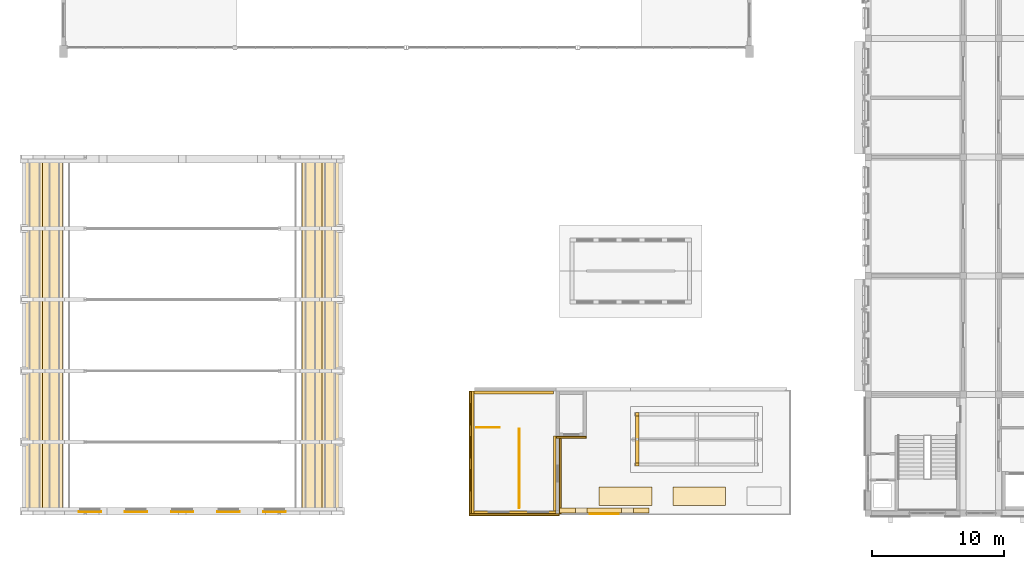
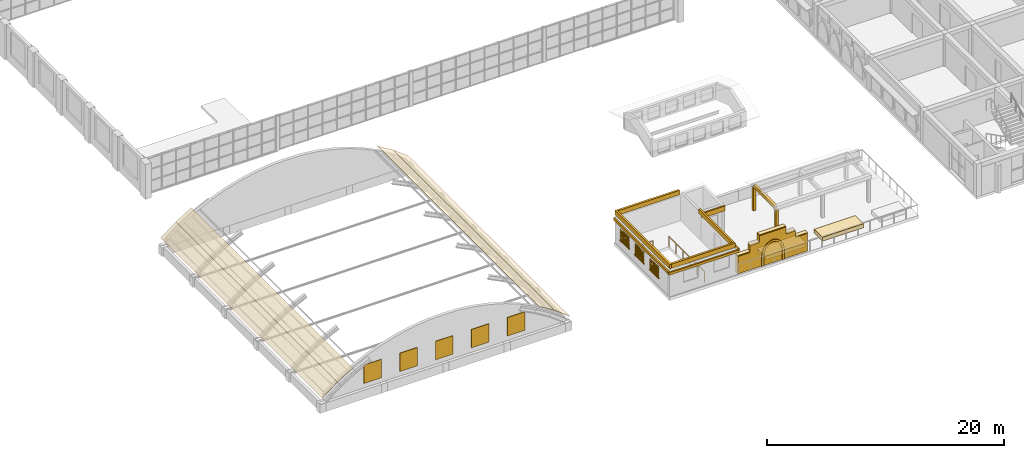
# One storey, part 55 of 70: 49 coverings, 5 shading devices, 2 railings.
"""IFC4 building model written with IfcOpenShell, lengths in metres."""

from ifc_helpers import new_model, si_unit, direction, frame, origin, origin_2d, place, context, subcontext, project, spatial, polyline, rectangle, circle, outline, extrude, material, layer, layer_set, material_profile, profile_set, type_object, element, save


model = new_model("IFC4")

# Units and contexts
model_context = context("Model", 3, precision=1e-05, world=origin(), true_north=direction((0.0, 1.0)))
body_context = subcontext(model_context, "Body", "Model", "MODEL_VIEW")
ifc_project = project(units=[si_unit("LENGTHUNIT", "METRE"), si_unit("AREAUNIT", "SQUARE_METRE"), si_unit("VOLUMEUNIT", "CUBIC_METRE"), si_unit("PLANEANGLEUNIT", "RADIAN"), si_unit("MASSUNIT", "GRAM", prefix="KILO")], contexts=[model_context])

# Site, building, storey
site_placement = place(None, origin())
site = spatial("IfcSite", under=ifc_project, at=site_placement, CompositionType="ELEMENT")
building_placement = place(site_placement, origin())
building = spatial("IfcBuilding", under=site, at=building_placement, Name="Elbe Cascade School", CompositionType="ELEMENT")
storey_placement = place(building_placement, frame((0.0, 0.0, 8.10009765625)))
storey = spatial("IfcBuildingStorey", under=building, at=storey_placement, Name="L02", CompositionType="ELEMENT", Elevation=8.10009765625)

# Shading devices
ifc_material_1 = material(Name="Precast concrete C30/37 jali", Category="concrete")
ifc_layer_1 = layer(ifc_material_1, 0.06005859375)
ifc_layer_set_1 = layer_set([ifc_layer_1], Name="Precast concrete C30/37 jali")
shading_device_type = type_object("IfcShadingDeviceType", Name="Assembly hall jali screen 1700x1900", PredefinedType="USERDEFINED", material=ifc_layer_set_1)
for number, where, z_axis, x_axis, name in (
    (1, (10.0, 6.1201171875, 1.39990234375), (0.0, 0.0, 1.0), (1.0, 0.0, 0.0), "Assembly hall jali screen 1700x1900 SD12"),
    (2, (13.5, 6.1201171875, 1.39990234375), (0.0, 0.0, 1.0), (1.0, 0.0, 0.0), "Assembly hall jali screen 1700x1900 SD12"),
    (3, (17.0, 6.1201171875, 1.39990234375), (0.0, 0.0, 1.0), (1.0, 0.0, 0.0), "Assembly hall jali screen 1700x1900 SD12"),
    (4, (20.5, 6.1201171875, 1.39990234375), (0.0, 0.0, 1.0), (1.0, 0.0, 0.0), "Assembly hall jali screen 1700x1900 SD12"),
    (5, (24.0, 6.1201171875, 1.39990234375), (0.0, 0.0, 1.0), (1.0, 0.0, 0.0), "Assembly hall jali screen 1700x1900 SD12"),
):
    element("IfcShadingDevice", number, at=place(storey_placement, frame(where, z_axis=z_axis, x_axis=x_axis)), inside=storey, type_object=shading_device_type, Name=name, ObjectType="JALI", PredefinedType="USERDEFINED", context=body_context, shape_type="SweptSolid", body=[
        extrude(rectangle(XDim=1.699951171875, YDim=0.06005859375, at=origin_2d()), origin(), (0.0, 0.0, 1.0), 1.89990234375),
    ])

# Coverings
ifc_material_2 = material(Name="Zinc standing seam roofing")
ifc_layer_2 = layer(ifc_material_2, 0.030029296875)
ifc_layer_set_2 = layer_set([ifc_layer_2], Name="Zinc standing seam roofing")
covering_type_1 = type_object("IfcCoveringType", Name="Assembly hall roofing 30", PredefinedType="ROOFING", material=ifc_layer_set_2)
covering_1_placement = place(storey_placement, frame((4.911376953125, 5.85009765625, 1.52099609375), z_axis=(-0.605281443696, 0.0, 0.796011541322), x_axis=(0.796011541322, 0.0, 0.605281443696)))
element("IfcCovering", 6, at=covering_1_placement, inside=storey, type_object=covering_type_1, Name="Assembly hall roofing 30 CV2", PredefinedType="ROOFING", context=body_context, shape_type="SweptSolid", body=[
    extrude(outline(polyline([(0.0, 0.0), (1.8739668224821688, 0.0), (1.8739668224821688, 27.2998046875), (0.0, 27.2998046875), (0.0, 0.0)])), origin(), (0.0, 0.0, -1.0), 0.030029296875),
])
for number, where, z_axis, x_axis, name in (
    (7, (6.403076171875, 5.85009765625, 2.6552734375), (-0.524495722499, 0.0, 0.851413082517), (0.851413082517, 0.0, 0.524495722499), "Assembly hall roofing 30 CV2"),
    (8, (26.0830078125, 5.85009765625, 3.587890625), (0.524495722499, 0.0, 0.851413082517), (0.851413082517, 0.0, -0.524495722499), "Assembly hall roofing 30 CV2"),
):
    element("IfcCovering", number, at=place(storey_placement, frame(where, z_axis=z_axis, x_axis=x_axis)), inside=storey, type_object=covering_type_1, Name=name, PredefinedType="ROOFING", context=body_context, shape_type="SweptSolid", body=[
        extrude(outline(polyline([(0.0, 0.0), (1.77812162710718, 0.0), (1.77812162710718, 27.2998046875), (0.0, 27.2998046875), (0.0, 0.0)])), origin(), (0.0, 0.0, -1.0), 0.030029296875),
    ])
covering_2_placement = place(storey_placement, frame((27.596923828125, 5.85009765625, 2.6552734375), z_axis=(0.605281443696, 0.0, 0.796011541322), x_axis=(0.796011541322, 0.0, -0.605281443696)))
element("IfcCovering", 9, at=covering_2_placement, inside=storey, type_object=covering_type_1, Name="Assembly hall roofing 30 CV2", PredefinedType="ROOFING", context=body_context, shape_type="SweptSolid", body=[
    extrude(outline(polyline([(0.0, 0.0), (1.8739668224821688, 0.0), (1.8739668224821688, 27.2998046875), (0.0, 27.2998046875), (0.0, 0.0)])), origin(), (0.0, 0.0, -1.0), 0.030029296875),
])
ifc_material_3 = material(Name="Sandstone - red", Category="masonry")
ifc_material_profile_1 = material_profile(ifc_material_3, outline(polyline([(-3.39990234375, 8.10009765625), (3.39990234375, 8.10009765625), (3.39990234375, 9.89990234375), (2.199951171875, 9.89990234375), (2.199951171875, 10.60009765625), (1.300048828125, 10.60009765625), (1.300048828125, 11.300048828125), (-1.300048828125, 11.300048828125), (-1.300048828125, 10.60009765625), (-2.199951171875, 10.60009765625), (-2.199951171875, 9.89990234375), (-3.39990234375, 9.89990234375), (-3.39990234375, 8.10009765625)])), Name="Frontispiece face 6800 x 3200")
ifc_profile_set_1 = profile_set([ifc_material_profile_1], Name="Sandstone - red")
covering_type_2 = type_object("IfcCoveringType", Name="Cafe entrance frontispiece 400", PredefinedType="CLADDING", material=ifc_profile_set_1)
covering_3_placement = place(storey_placement, frame((49.0, 6.0, -8.10009765625), z_axis=(0.0, 1.0, 0.0), x_axis=(-1.0, 0.0, 0.0)))
element("IfcCovering", 10, at=covering_3_placement, inside=storey, type_object=covering_type_2, Name="Cafe entrance frontispiece 400 CV96", PredefinedType="CLADDING", context=body_context, shape_type="SweptSolid", body=[
    extrude(outline(polyline([(-3.39990234375, 8.10009765625), (3.39990234375, 8.10009765625), (3.39990234375, 9.89990234375), (2.199951171875, 9.89990234375), (2.199951171875, 10.60009765625), (1.300048828125, 10.60009765625), (1.300048828125, 11.300048828125), (-1.300048828125, 11.300048828125), (-1.300048828125, 10.60009765625), (-2.199951171875, 10.60009765625), (-2.199951171875, 9.89990234375), (-3.39990234375, 9.89990234375), (-3.39990234375, 8.10009765625)])), origin(), (0.0, 0.0, 1.0), 0.39990234375),
])
ifc_material_4 = material(Name="Sandstone - red", Category="masonry")
ifc_material_profile_2 = material_profile(ifc_material_4, outline(polyline([(-1.10009765625, 8.10009765625), (-1.10009765625, 9.199951171875), (-0.96240234375, 9.787109375), (-0.824951171875, 10.007080078125), (-0.6875, 10.159423828125), (-0.550048828125, 10.273193359375), (-0.41259765625, 10.35986328125), (-0.27490234375, 10.42529296875), (-0.137451171875, 10.472412109375), (0.0, 10.50341796875), (0.137451171875, 10.472412109375), (0.27490234375, 10.42529296875), (0.41259765625, 10.35986328125), (0.550048828125, 10.273193359375), (0.6875, 10.159423828125), (0.824951171875, 10.007080078125), (0.96240234375, 9.787109375), (1.10009765625, 9.199951171875), (1.10009765625, 8.10009765625), (0.89990234375, 8.10009765625), (0.89990234375, 9.199951171875), (0.78759765625, 9.689697265625), (0.675048828125, 9.8740234375), (0.5625, 10.002197265625), (0.449951171875, 10.0986328125), (0.33740234375, 10.172607421875), (0.22509765625, 10.229248046875), (0.112548828125, 10.27099609375), (0.0, 10.300048828125), (-0.112548828125, 10.27099609375), (-0.22509765625, 10.229248046875), (-0.33740234375, 10.172607421875), (-0.449951171875, 10.0986328125), (-0.5625, 10.002197265625), (-0.675048828125, 9.8740234375), (-0.78759765625, 9.689697265625), (-0.89990234375, 9.199951171875), (-0.89990234375, 8.10009765625), (-1.10009765625, 8.10009765625)])), Name="Frontispiece arch moulding face")
ifc_profile_set_2 = profile_set([ifc_material_profile_2], Name="Sandstone - red")
covering_type_3 = type_object("IfcCoveringType", Name="Cafe frontispiece arch moulding 070", PredefinedType="CLADDING", material=ifc_profile_set_2)
covering_4_placement = place(storey_placement, frame((49.0, 5.929931640625, -8.10009765625), z_axis=(0.0, 1.0, 0.0), x_axis=(-1.0, 0.0, 0.0)))
element("IfcCovering", 11, at=covering_4_placement, inside=storey, type_object=covering_type_3, Name="Cafe frontispiece arch moulding 070 CV97", PredefinedType="CLADDING", context=body_context, shape_type="SweptSolid", body=[
    extrude(outline(polyline([(-1.10009765625, 8.10009765625), (-1.10009765625, 9.199951171875), (-0.96240234375, 9.787109375), (-0.824951171875, 10.007080078125), (-0.6875, 10.159423828125), (-0.550048828125, 10.273193359375), (-0.41259765625, 10.35986328125), (-0.27490234375, 10.42529296875), (-0.137451171875, 10.472412109375), (0.0, 10.50341796875), (0.137451171875, 10.472412109375), (0.27490234375, 10.42529296875), (0.41259765625, 10.35986328125), (0.550048828125, 10.273193359375), (0.6875, 10.159423828125), (0.824951171875, 10.007080078125), (0.96240234375, 9.787109375), (1.10009765625, 9.199951171875), (1.10009765625, 8.10009765625), (0.89990234375, 8.10009765625), (0.89990234375, 9.199951171875), (0.78759765625, 9.689697265625), (0.675048828125, 9.8740234375), (0.5625, 10.002197265625), (0.449951171875, 10.0986328125), (0.33740234375, 10.172607421875), (0.22509765625, 10.229248046875), (0.112548828125, 10.27099609375), (0.0, 10.300048828125), (-0.112548828125, 10.27099609375), (-0.22509765625, 10.229248046875), (-0.33740234375, 10.172607421875), (-0.449951171875, 10.0986328125), (-0.5625, 10.002197265625), (-0.675048828125, 9.8740234375), (-0.78759765625, 9.689697265625), (-0.89990234375, 9.199951171875), (-0.89990234375, 8.10009765625), (-1.10009765625, 8.10009765625)])), origin(), (0.0, 0.0, 1.0), 0.070068359375),
])
ifc_material_5 = material(Name="Sandstone - red", Category="masonry")
ifc_layer_3 = layer(ifc_material_5, 0.10009765625)
ifc_layer_set_3 = layer_set([ifc_layer_3], Name="Sandstone - red")
covering_type_4 = type_object("IfcCoveringType", Name="Cafe frontispiece coping 100", PredefinedType="CLADDING", material=ifc_layer_set_3)
covering_5_placement = place(storey_placement, frame((0.0, 0.0, 3.199951171875)))
element("IfcCovering", 12, at=covering_5_placement, inside=storey, type_object=covering_type_4, Name="Cafe frontispiece coping 100 CV98", PredefinedType="CLADDING", context=body_context, shape_type="SweptSolid", body=[
    extrude(outline(polyline([(47.699951171875, 6.0), (50.300048828125, 6.0), (50.300048828125, 6.39990234375), (47.699951171875, 6.39990234375), (47.699951171875, 6.0)])), origin(), (0.0, 0.0, 1.0), 0.099853515625),
])
covering_6_placement = place(storey_placement, frame((0.0, 0.0, 1.7998046875)))
element("IfcCovering", 13, at=covering_6_placement, inside=storey, type_object=covering_type_4, Name="Cafe frontispiece coping 100 CV98", PredefinedType="CLADDING", context=body_context, shape_type="SweptSolid", body=[
    extrude(outline(polyline([(51.199951171875, 6.0), (52.39990234375, 6.0), (52.39990234375, 6.39990234375), (51.199951171875, 6.39990234375), (51.199951171875, 6.0)])), origin(), (0.0, 0.0, 1.0), 0.10009765625),
])
covering_7_placement = place(storey_placement, frame((0.0, 0.0, 1.7998046875)))
element("IfcCovering", 14, at=covering_7_placement, inside=storey, type_object=covering_type_4, Name="Cafe frontispiece coping 100 CV98", PredefinedType="CLADDING", context=body_context, shape_type="SweptSolid", body=[
    extrude(outline(polyline([(45.60009765625, 6.0), (46.800048828125, 6.0), (46.800048828125, 6.39990234375), (45.60009765625, 6.39990234375), (45.60009765625, 6.0)])), origin(), (0.0, 0.0, 1.0), 0.10009765625),
])

# Railings
ifc_material_6 = material(Name="Steel S355J2H balustrade", Category="steel")
railing_type = type_object("IfcRailingType", Name="Cafe guard 1100", PredefinedType="GUARDRAIL", material=ifc_material_6)
railing_1_placement = place(storey_placement, frame((42.550048828125, 6.39990234375, 0.0)))
element("IfcRailing", 15, at=railing_1_placement, inside=storey, type_object=railing_type, Name="Cafe guard 1100 RL11", PredefinedType="GUARDRAIL", context=body_context, shape_type="SweptSolid", body=[
    extrude(circle(Radius=0.02490234375, at=origin_2d()), frame((0.0, 0.0, 1.0751953125), z_axis=(0.0, 1.0, 0.0), x_axis=(-1.0, 0.0, 0.0)), (0.0, 0.0, 1.0), 6.0),
    extrude(circle(Radius=0.02001953125, at=origin_2d()), origin(), (0.0, 0.0, 1.0), 1.050048828125),
    extrude(circle(Radius=0.02001953125, at=origin_2d()), frame((0.0, 1.199951171875, 0.0)), (0.0, 0.0, 1.0), 1.050048828125),
    extrude(circle(Radius=0.02001953125, at=origin_2d()), frame((0.0, 2.39990234375, 0.0)), (0.0, 0.0, 1.0), 1.050048828125),
    extrude(circle(Radius=0.02001953125, at=origin_2d()), frame((0.0, 3.60009765625, 0.0)), (0.0, 0.0, 1.0), 1.050048828125),
    extrude(circle(Radius=0.02001953125, at=origin_2d()), frame((0.0, 4.800048828125, 0.0)), (0.0, 0.0, 1.0), 1.050048828125),
    extrude(circle(Radius=0.02001953125, at=origin_2d()), frame((0.0, 6.0, 0.0)), (0.0, 0.0, 1.0), 1.050048828125),
])
railing_2_placement = place(storey_placement, frame((39.300048828125, 12.5, 0.0)))
element("IfcRailing", 16, at=railing_2_placement, inside=storey, type_object=railing_type, Name="Cafe guard 1100 RL11", PredefinedType="GUARDRAIL", context=body_context, shape_type="SweptSolid", body=[
    extrude(circle(Radius=0.02490234375, at=origin_2d()), frame((0.0, 0.0, 1.0751953125), z_axis=(1.0, 0.0, 0.0), x_axis=(0.0, 1.0, 0.0)), (0.0, 0.0, 1.0), 1.75),
    extrude(circle(Radius=0.02001953125, at=origin_2d()), origin(), (0.0, 0.0, 1.0), 1.050048828125),
    extrude(circle(Radius=0.02001953125, at=origin_2d()), frame((0.875, 0.0, 0.0)), (0.0, 0.0, 1.0), 1.050048828125),
    extrude(circle(Radius=0.02001953125, at=origin_2d()), frame((1.75, 0.0, 0.0)), (0.0, 0.0, 1.0), 1.050048828125),
])

# Coverings
ifc_material_7 = material(Name="Sandstone - red", Category="masonry")
ifc_layer_4 = layer(ifc_material_7, 0.14990234375)
ifc_layer_set_4 = layer_set([ifc_layer_4], Name="Sandstone - red")
covering_type_5 = type_object("IfcCoveringType", Name="Cafe head-house cornice 150", PredefinedType="CLADDING", material=ifc_layer_set_4)
covering_8_placement = place(storey_placement, frame((0.0, 0.0, 2.349853515625)))
element("IfcCovering", 17, at=covering_8_placement, inside=storey, type_object=covering_type_5, Name="Cafe head-house cornice 150 CV92", PredefinedType="CLADDING", context=body_context, shape_type="SweptSolid", body=[
    extrude(outline(polyline([(38.77490234375, 5.824951171875), (45.60009765625, 5.824951171875), (45.60009765625, 5.97509765625), (38.77490234375, 5.97509765625), (38.77490234375, 5.824951171875)])), origin(), (0.0, 0.0, 1.0), 0.25),
])
covering_9_placement = place(storey_placement, frame((0.0, 0.0, 2.349853515625)))
element("IfcCovering", 18, at=covering_9_placement, inside=storey, type_object=covering_type_5, Name="Cafe head-house cornice 150 CV92", PredefinedType="CLADDING", context=body_context, shape_type="SweptSolid", body=[
    extrude(outline(polyline([(38.77490234375, 5.97509765625), (38.925048828125, 5.97509765625), (38.925048828125, 15.25), (38.77490234375, 15.25), (38.77490234375, 5.97509765625)])), origin(), (0.0, 0.0, 1.0), 0.25),
])
covering_10_placement = place(storey_placement, frame((0.0, 0.0, 2.349853515625)))
element("IfcCovering", 19, at=covering_10_placement, inside=storey, type_object=covering_type_5, Name="Cafe head-house cornice 150 CV92", PredefinedType="CLADDING", context=body_context, shape_type="SweptSolid", body=[
    extrude(outline(polyline([(45.60009765625, 5.97509765625), (45.75, 5.97509765625), (45.75, 11.85009765625), (45.60009765625, 11.85009765625), (45.60009765625, 5.97509765625)])), origin(), (0.0, 0.0, 1.0), 0.25),
])
covering_11_placement = place(storey_placement, frame((0.0, 0.0, 2.349853515625)))
element("IfcCovering", 20, at=covering_11_placement, inside=storey, type_object=covering_type_5, Name="Cafe head-house cornice 150 CV92", PredefinedType="CLADDING", context=body_context, shape_type="SweptSolid", body=[
    extrude(outline(polyline([(45.35009765625, 11.699951171875), (47.64990234375, 11.699951171875), (47.64990234375, 11.85009765625), (45.35009765625, 11.85009765625), (45.35009765625, 11.699951171875)])), origin(), (0.0, 0.0, 1.0), 0.5),
])
ifc_material_8 = material(Name="Sandstone - red", Category="masonry")
ifc_layer_5 = layer(ifc_material_8, 0.10009765625)
ifc_layer_set_5 = layer_set([ifc_layer_5], Name="Sandstone - red")
covering_type_6 = type_object("IfcCoveringType", Name="Cafe head-house louvre sill 100", PredefinedType="CLADDING", material=ifc_layer_set_5)
covering_12_placement = place(storey_placement, frame((0.0, 0.0, 0.7998046875)))
element("IfcCovering", 21, at=covering_12_placement, inside=storey, type_object=covering_type_6, Name="Cafe head-house louvre sill 100 CV95", PredefinedType="CLADDING", context=body_context, shape_type="SweptSolid", body=[
    extrude(outline(polyline([(38.824951171875, 7.699951171875), (38.925048828125, 7.699951171875), (38.925048828125, 9.300048828125), (38.824951171875, 9.300048828125), (38.824951171875, 7.699951171875)])), origin(), (0.0, 0.0, 1.0), 0.10009765625),
])
covering_13_placement = place(storey_placement, frame((0.0, 0.0, 0.7998046875)))
element("IfcCovering", 22, at=covering_13_placement, inside=storey, type_object=covering_type_6, Name="Cafe head-house louvre sill 100 CV95", PredefinedType="CLADDING", context=body_context, shape_type="SweptSolid", body=[
    extrude(outline(polyline([(38.824951171875, 10.199951171875), (38.925048828125, 10.199951171875), (38.925048828125, 11.800048828125), (38.824951171875, 11.800048828125), (38.824951171875, 10.199951171875)])), origin(), (0.0, 0.0, 1.0), 0.10009765625),
])
covering_14_placement = place(storey_placement, frame((0.0, 0.0, 0.7998046875)))
element("IfcCovering", 23, at=covering_14_placement, inside=storey, type_object=covering_type_6, Name="Cafe head-house louvre sill 100 CV95", PredefinedType="CLADDING", context=body_context, shape_type="SweptSolid", body=[
    extrude(outline(polyline([(38.824951171875, 12.699951171875), (38.925048828125, 12.699951171875), (38.925048828125, 14.300048828125), (38.824951171875, 14.300048828125), (38.824951171875, 12.699951171875)])), origin(), (0.0, 0.0, 1.0), 0.10009765625),
])
ifc_material_9 = material(Name="Timber, oiled larch", Category="wood")
ifc_layer_6 = layer(ifc_material_9, 0.080078125)
ifc_layer_set_6 = layer_set([ifc_layer_6], Name="Timber, oiled larch")
covering_type_7 = type_object("IfcCoveringType", Name="Cafe head-house louvre slat 080", PredefinedType="CLADDING", material=ifc_layer_set_6)
for number, where, name in (
    (24, (0.0, 0.0, 0.89990234375), "Cafe head-house louvre slat 080 CV94"),
    (25, (0.0, 0.0, 1.0498046875), "Cafe head-house louvre slat 080 CV94"),
    (26, (0.0, 0.0, 1.199951171875), "Cafe head-house louvre slat 080 CV94"),
    (27, (0.0, 0.0, 1.349853515625), "Cafe head-house louvre slat 080 CV94"),
):
    element("IfcCovering", number, at=place(storey_placement, frame(where)), inside=storey, type_object=covering_type_7, Name=name, PredefinedType="CLADDING", context=body_context, shape_type="SweptSolid", body=[
        extrude(outline(polyline([(38.844970703125, 7.800048828125), (38.925048828125, 7.800048828125), (38.925048828125, 9.199951171875), (38.844970703125, 9.199951171875), (38.844970703125, 7.800048828125)])), origin(), (0.0, 0.0, 1.0), 0.06005859375),
    ])
covering_15_placement = place(storey_placement, frame((0.0, 0.0, 1.5)))
element("IfcCovering", 28, at=covering_15_placement, inside=storey, type_object=covering_type_7, Name="Cafe head-house louvre slat 080 CV94", PredefinedType="CLADDING", context=body_context, shape_type="SweptSolid", body=[
    extrude(outline(polyline([(38.844970703125, 7.800048828125), (38.925048828125, 7.800048828125), (38.925048828125, 9.199951171875), (38.844970703125, 9.199951171875), (38.844970703125, 7.800048828125)])), origin(), (0.0, 0.0, 1.0), 0.059814453125),
])
for number, where, name in (
    (29, (0.0, 0.0, 1.64990234375), "Cafe head-house louvre slat 080 CV94"),
    (30, (0.0, 0.0, 1.7998046875), "Cafe head-house louvre slat 080 CV94"),
    (31, (0.0, 0.0, 1.949951171875), "Cafe head-house louvre slat 080 CV94"),
):
    element("IfcCovering", number, at=place(storey_placement, frame(where)), inside=storey, type_object=covering_type_7, Name=name, PredefinedType="CLADDING", context=body_context, shape_type="SweptSolid", body=[
        extrude(outline(polyline([(38.844970703125, 7.800048828125), (38.925048828125, 7.800048828125), (38.925048828125, 9.199951171875), (38.844970703125, 9.199951171875), (38.844970703125, 7.800048828125)])), origin(), (0.0, 0.0, 1.0), 0.06005859375),
    ])
for number, where, name in (
    (32, (0.0, 0.0, 0.89990234375), "Cafe head-house louvre slat 080 CV94"),
    (33, (0.0, 0.0, 1.0498046875), "Cafe head-house louvre slat 080 CV94"),
    (34, (0.0, 0.0, 1.199951171875), "Cafe head-house louvre slat 080 CV94"),
    (35, (0.0, 0.0, 1.349853515625), "Cafe head-house louvre slat 080 CV94"),
):
    element("IfcCovering", number, at=place(storey_placement, frame(where)), inside=storey, type_object=covering_type_7, Name=name, PredefinedType="CLADDING", context=body_context, shape_type="SweptSolid", body=[
        extrude(outline(polyline([(38.844970703125, 10.300048828125), (38.925048828125, 10.300048828125), (38.925048828125, 11.699951171875), (38.844970703125, 11.699951171875), (38.844970703125, 10.300048828125)])), origin(), (0.0, 0.0, 1.0), 0.06005859375),
    ])
covering_16_placement = place(storey_placement, frame((0.0, 0.0, 1.5)))
element("IfcCovering", 36, at=covering_16_placement, inside=storey, type_object=covering_type_7, Name="Cafe head-house louvre slat 080 CV94", PredefinedType="CLADDING", context=body_context, shape_type="SweptSolid", body=[
    extrude(outline(polyline([(38.844970703125, 10.300048828125), (38.925048828125, 10.300048828125), (38.925048828125, 11.699951171875), (38.844970703125, 11.699951171875), (38.844970703125, 10.300048828125)])), origin(), (0.0, 0.0, 1.0), 0.059814453125),
])
for number, where, name in (
    (37, (0.0, 0.0, 1.64990234375), "Cafe head-house louvre slat 080 CV94"),
    (38, (0.0, 0.0, 1.7998046875), "Cafe head-house louvre slat 080 CV94"),
    (39, (0.0, 0.0, 1.949951171875), "Cafe head-house louvre slat 080 CV94"),
):
    element("IfcCovering", number, at=place(storey_placement, frame(where)), inside=storey, type_object=covering_type_7, Name=name, PredefinedType="CLADDING", context=body_context, shape_type="SweptSolid", body=[
        extrude(outline(polyline([(38.844970703125, 10.300048828125), (38.925048828125, 10.300048828125), (38.925048828125, 11.699951171875), (38.844970703125, 11.699951171875), (38.844970703125, 10.300048828125)])), origin(), (0.0, 0.0, 1.0), 0.06005859375),
    ])
for number, where, name in (
    (40, (0.0, 0.0, 0.89990234375), "Cafe head-house louvre slat 080 CV94"),
    (41, (0.0, 0.0, 1.0498046875), "Cafe head-house louvre slat 080 CV94"),
    (42, (0.0, 0.0, 1.199951171875), "Cafe head-house louvre slat 080 CV94"),
    (43, (0.0, 0.0, 1.349853515625), "Cafe head-house louvre slat 080 CV94"),
):
    element("IfcCovering", number, at=place(storey_placement, frame(where)), inside=storey, type_object=covering_type_7, Name=name, PredefinedType="CLADDING", context=body_context, shape_type="SweptSolid", body=[
        extrude(outline(polyline([(38.844970703125, 12.800048828125), (38.925048828125, 12.800048828125), (38.925048828125, 14.199951171875), (38.844970703125, 14.199951171875), (38.844970703125, 12.800048828125)])), origin(), (0.0, 0.0, 1.0), 0.06005859375),
    ])
covering_17_placement = place(storey_placement, frame((0.0, 0.0, 1.5)))
element("IfcCovering", 44, at=covering_17_placement, inside=storey, type_object=covering_type_7, Name="Cafe head-house louvre slat 080 CV94", PredefinedType="CLADDING", context=body_context, shape_type="SweptSolid", body=[
    extrude(outline(polyline([(38.844970703125, 12.800048828125), (38.925048828125, 12.800048828125), (38.925048828125, 14.199951171875), (38.844970703125, 14.199951171875), (38.844970703125, 12.800048828125)])), origin(), (0.0, 0.0, 1.0), 0.059814453125),
])
for number, where, name in (
    (45, (0.0, 0.0, 1.64990234375), "Cafe head-house louvre slat 080 CV94"),
    (46, (0.0, 0.0, 1.7998046875), "Cafe head-house louvre slat 080 CV94"),
    (47, (0.0, 0.0, 1.949951171875), "Cafe head-house louvre slat 080 CV94"),
):
    element("IfcCovering", number, at=place(storey_placement, frame(where)), inside=storey, type_object=covering_type_7, Name=name, PredefinedType="CLADDING", context=body_context, shape_type="SweptSolid", body=[
        extrude(outline(polyline([(38.844970703125, 12.800048828125), (38.925048828125, 12.800048828125), (38.925048828125, 14.199951171875), (38.844970703125, 14.199951171875), (38.844970703125, 12.800048828125)])), origin(), (0.0, 0.0, 1.0), 0.06005859375),
    ])
ifc_material_10 = material(Name="Sandstone - red", Category="masonry")
ifc_layer_7 = layer(ifc_material_10, 0.199951171875)
ifc_layer_set_7 = layer_set([ifc_layer_7], Name="Sandstone - red")
covering_type_8 = type_object("IfcCoveringType", Name="Cafe head-house parapet 200", PredefinedType="CLADDING", material=ifc_layer_set_7)
covering_18_placement = place(storey_placement, frame((0.0, 0.0, 2.849853515625)))
element("IfcCovering", 48, at=covering_18_placement, inside=storey, type_object=covering_type_8, Name="Cafe head-house parapet 200 CV93", PredefinedType="CLADDING", context=body_context, shape_type="SweptSolid", body=[
    extrude(outline(polyline([(38.925048828125, 5.97509765625), (39.125, 5.97509765625), (39.125, 15.25), (38.925048828125, 15.25), (38.925048828125, 5.97509765625)])), origin(), (0.0, 0.0, 1.0), 0.449951171875),
])
covering_19_placement = place(storey_placement, frame((0.0, 0.0, 2.849853515625)))
element("IfcCovering", 49, at=covering_19_placement, inside=storey, type_object=covering_type_8, Name="Cafe head-house parapet 200 CV93", PredefinedType="CLADDING", context=body_context, shape_type="SweptSolid", body=[
    extrude(outline(polyline([(39.125, 5.97509765625), (45.35009765625, 5.97509765625), (45.35009765625, 6.175048828125), (39.125, 6.175048828125), (39.125, 5.97509765625)])), origin(), (0.0, 0.0, 1.0), 0.449951171875),
])
covering_20_placement = place(storey_placement, frame((0.0, 0.0, 2.849853515625)))
element("IfcCovering", 50, at=covering_20_placement, inside=storey, type_object=covering_type_8, Name="Cafe head-house parapet 200 CV93", PredefinedType="CLADDING", context=body_context, shape_type="SweptSolid", body=[
    extrude(outline(polyline([(39.125, 15.050048828125), (45.14990234375, 15.050048828125), (45.14990234375, 15.25), (39.125, 15.25), (39.125, 15.050048828125)])), origin(), (0.0, 0.0, 1.0), 0.449951171875),
])
covering_21_placement = place(storey_placement, frame((0.0, 0.0, 2.849853515625)))
element("IfcCovering", 51, at=covering_21_placement, inside=storey, type_object=covering_type_8, Name="Cafe head-house parapet 200 CV93", PredefinedType="CLADDING", context=body_context, shape_type="SweptSolid", body=[
    extrude(outline(polyline([(45.14990234375, 6.175048828125), (45.35009765625, 6.175048828125), (45.35009765625, 11.85009765625), (45.14990234375, 11.85009765625), (45.14990234375, 6.175048828125)])), origin(), (0.0, 0.0, 1.0), 0.449951171875),
])
ifc_material_11 = material(Name="Timber - oak", Category="wood")
ifc_layer_8 = layer(ifc_material_11, 0.25)
ifc_layer_set_8 = layer_set([ifc_layer_8], Name="Timber - oak")
covering_type_9 = type_object("IfcCoveringType", Name="Cafe pavilion post 250", PredefinedType="CLADDING", material=ifc_layer_set_8)
covering_22_placement = place(storey_placement, origin())
element("IfcCovering", 52, at=covering_22_placement, inside=storey, type_object=covering_type_9, Name="Cafe pavilion post 250 CV99", PredefinedType="CLADDING", context=body_context, shape_type="SweptSolid", body=[
    extrude(outline(polyline([(51.375, 9.574951171875), (51.625, 9.574951171875), (51.625, 9.824951171875), (51.375, 9.824951171875), (51.375, 9.574951171875)])), origin(), (0.0, 0.0, 1.0), 2.39990234375),
])
covering_23_placement = place(storey_placement, origin())
element("IfcCovering", 53, at=covering_23_placement, inside=storey, type_object=covering_type_9, Name="Cafe pavilion post 250 CV99", PredefinedType="CLADDING", context=body_context, shape_type="SweptSolid", body=[
    extrude(outline(polyline([(51.375, 13.375), (51.625, 13.375), (51.625, 13.625), (51.375, 13.625), (51.375, 13.375)])), origin(), (0.0, 0.0, 1.0), 2.39990234375),
])
ifc_material_12 = material(Name="Timber - oak", Category="wood")
ifc_layer_9 = layer(ifc_material_12, 0.25)
ifc_layer_set_9 = layer_set([ifc_layer_9], Name="Timber - oak")
covering_type_10 = type_object("IfcCoveringType", Name="Cafe pavilion tie beam 250", PredefinedType="CLADDING", material=ifc_layer_set_9)
covering_24_placement = place(storey_placement, frame((0.0, 0.0, 2.39990234375)))
element("IfcCovering", 54, at=covering_24_placement, inside=storey, type_object=covering_type_10, Name="Cafe pavilion tie beam 250 CV100", PredefinedType="CLADDING", context=body_context, shape_type="SweptSolid", body=[
    extrude(outline(polyline([(51.375, 9.824951171875), (51.625, 9.824951171875), (51.625, 13.375), (51.375, 13.375), (51.375, 9.824951171875)])), origin(), (0.0, 0.0, 1.0), 0.300048828125),
])
ifc_material_13 = material(Name="Planting substrate - green roof", Category="soil")
ifc_layer_10 = layer(ifc_material_13, 0.39990234375)
ifc_layer_set_10 = layer_set([ifc_layer_10], Name="Planting substrate - green roof")
covering_type_11 = type_object("IfcCoveringType", Name="Cafe roof terrace planting bed", PredefinedType="USERDEFINED", material=ifc_layer_set_10)
covering_25_placement = place(storey_placement, origin())
element("IfcCovering", 55, at=covering_25_placement, inside=storey, type_object=covering_type_11, Name="Cafe roof terrace planting bed CV91", ObjectType="PLANTING BED", PredefinedType="USERDEFINED", context=body_context, shape_type="SweptSolid", body=[
    extrude(outline(polyline([(48.60009765625, 6.60009765625), (52.60009765625, 6.60009765625), (52.60009765625, 8.0), (48.60009765625, 8.0), (48.60009765625, 6.60009765625)])), origin(), (0.0, 0.0, 1.0), 0.39990234375),
])
covering_26_placement = place(storey_placement, origin())
element("IfcCovering", 56, at=covering_26_placement, inside=storey, type_object=covering_type_11, Name="Cafe roof terrace planting bed CV91", ObjectType="PLANTING BED", PredefinedType="USERDEFINED", context=body_context, shape_type="SweptSolid", body=[
    extrude(outline(polyline([(54.199951171875, 6.60009765625), (58.199951171875, 6.60009765625), (58.199951171875, 8.0), (54.199951171875, 8.0), (54.199951171875, 6.60009765625)])), origin(), (0.0, 0.0, 1.0), 0.39990234375),
])

save(model, "model.ifc")
